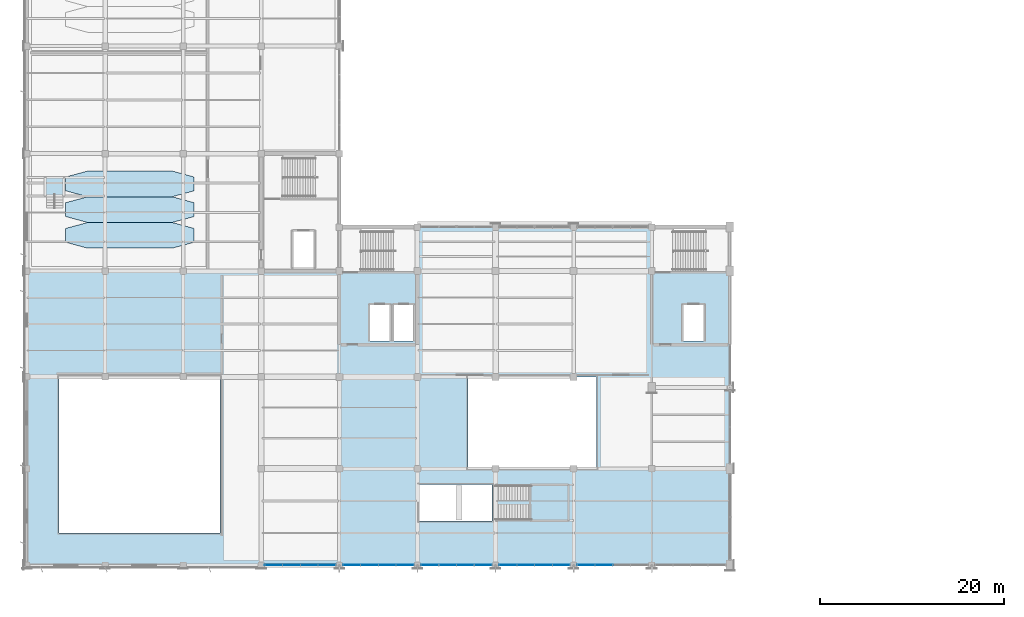
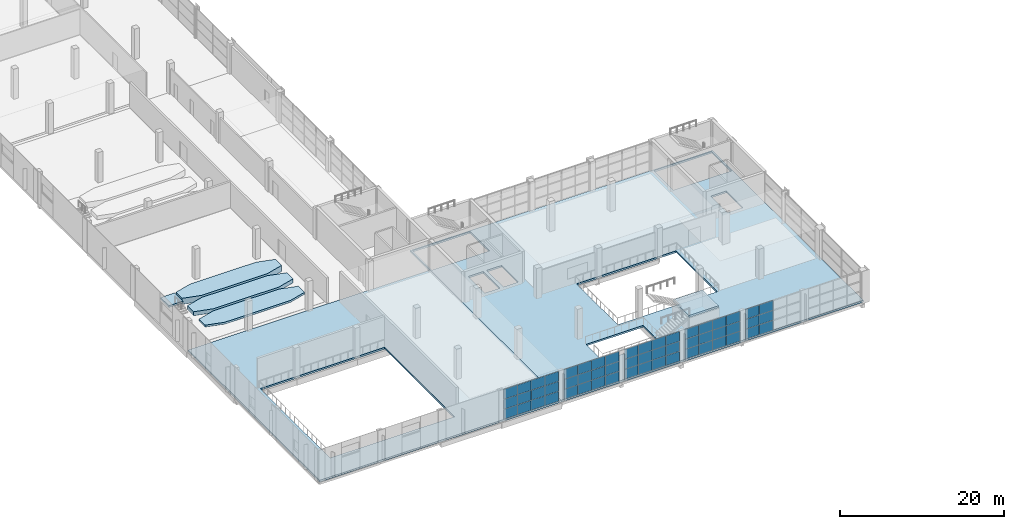
# One storey, part 84 of 112: 54 plates, 7 slabs, 7 elements without a shape of their own.
"""IFC4 building model written with IfcOpenShell, lengths in metres."""

from ifc_helpers import new_model, si_unit, direction, frame, origin, origin_2d, place, context, subcontext, project, spatial, polyline, rectangle, outline, extrude, material, layer, layer_set, type_object, element, aggregate, save


model = new_model("IFC4")

# Units and contexts
model_context = context("Model", 3, precision=1e-05, world=origin(), true_north=direction((0.0, 1.0)))
body_context = subcontext(model_context, "Body", "Model", "MODEL_VIEW")
ifc_project = project(units=[si_unit("LENGTHUNIT", "METRE"), si_unit("AREAUNIT", "SQUARE_METRE"), si_unit("VOLUMEUNIT", "CUBIC_METRE"), si_unit("PLANEANGLEUNIT", "RADIAN"), si_unit("MASSUNIT", "GRAM", prefix="KILO")], contexts=[model_context])

# Site, building, storey
site_placement = place(None, origin())
site = spatial("IfcSite", under=ifc_project, at=site_placement, CompositionType="ELEMENT")
building_placement = place(site_placement, origin())
building = spatial("IfcBuilding", under=site, at=building_placement, Name="Solvikara Media Centre", CompositionType="ELEMENT")
storey_placement = place(building_placement, frame((0.0, 0.0, 5.39990234375)))
storey = spatial("IfcBuildingStorey", under=building, at=storey_placement, Name="L01", CompositionType="ELEMENT", Elevation=5.39990234375)

# Curtain wall, plates
ifc_material_1 = material(Name="Anodised aluminium EN AW-6063", Category="aluminium")
curtain_wall_type_1 = type_object("IfcCurtainWallType", Name="CW-04", PredefinedType="NOTDEFINED", material=ifc_material_1)
curtain_wall_1_placement = place(storey_placement, origin())
curtain_wall_1 = element("IfcCurtainWall", 1, at=curtain_wall_1_placement, inside=storey, type_object=curtain_wall_type_1, Name="CW-L01-V6S-1", PredefinedType="NOTDEFINED")
ifc_material_2 = material(Name="Double-glazed low-E architectural glass", Category="glass")
ifc_layer_1 = layer(ifc_material_2, 0.035888671875)
ifc_layer_set_1 = layer_set([ifc_layer_1], Name="Double-glazed low-E architectural glass")
plate_type_1 = type_object("IfcPlateType", Name="PN-06", PredefinedType="CURTAIN_PANEL", material=ifc_layer_set_1)
plate_1_placement = place(storey_placement, frame((35.35498046875, 0.0, 0.03466796875), z_axis=(0.0, 0.0, 1.0), x_axis=(1.0, 0.0, 0.0)))
plate_1 = element("IfcPlate", 2, at=plate_1_placement, type_object=plate_type_1, Name="CW-L01-V6S-1-P0000", PredefinedType="CURTAIN_PANEL", context=body_context, shape_type="SweptSolid", body=[
    extrude(rectangle(XDim=1.89990234375, YDim=0.035888671875, at=origin_2d()), origin(), (0.0, 0.0, 1.0), 1.45703125),
])
plate_2_placement = place(storey_placement, frame((35.35498046875, 0.0, 3.008544921875), z_axis=(0.0, 0.0, 1.0), x_axis=(1.0, 0.0, 0.0)))
plate_2 = element("IfcPlate", 3, at=plate_2_placement, type_object=plate_type_1, Name="CW-L01-V6S-1-P0002", PredefinedType="CURTAIN_PANEL", context=body_context, shape_type="SweptSolid", body=[
    extrude(rectangle(XDim=1.89990234375, YDim=0.035888671875, at=origin_2d()), origin(), (0.0, 0.0, 1.0), 1.45703125),
])
plate_3_placement = place(storey_placement, frame((37.284912109375, 0.0, 1.521484375), z_axis=(0.0, 0.0, 1.0), x_axis=(1.0, 0.0, 0.0)))
plate_3 = element("IfcPlate", 4, at=plate_3_placement, type_object=plate_type_1, Name="CW-L01-V6S-1-P0101", PredefinedType="CURTAIN_PANEL", context=body_context, shape_type="SweptSolid", body=[
    extrude(rectangle(XDim=1.89990234375, YDim=0.035888671875, at=origin_2d()), origin(), (0.0, 0.0, 1.0), 1.45703125),
])
plate_4_placement = place(storey_placement, frame((39.215087890625, 0.0, 0.03466796875), z_axis=(0.0, 0.0, 1.0), x_axis=(1.0, 0.0, 0.0)))
plate_4 = element("IfcPlate", 5, at=plate_4_placement, type_object=plate_type_1, Name="CW-L01-V6S-1-P0200", PredefinedType="CURTAIN_PANEL", context=body_context, shape_type="SweptSolid", body=[
    extrude(rectangle(XDim=1.89990234375, YDim=0.035888671875, at=origin_2d()), origin(), (0.0, 0.0, 1.0), 1.45703125),
])
plate_5_placement = place(storey_placement, frame((39.215087890625, 0.0, 3.008544921875), z_axis=(0.0, 0.0, 1.0), x_axis=(1.0, 0.0, 0.0)))
plate_5 = element("IfcPlate", 6, at=plate_5_placement, type_object=plate_type_1, Name="CW-L01-V6S-1-P0202", PredefinedType="CURTAIN_PANEL", context=body_context, shape_type="SweptSolid", body=[
    extrude(rectangle(XDim=1.89990234375, YDim=0.035888671875, at=origin_2d()), origin(), (0.0, 0.0, 1.0), 1.45703125),
])
plate_6_placement = place(storey_placement, frame((41.14501953125, 0.0, 1.521484375), z_axis=(0.0, 0.0, 1.0), x_axis=(1.0, 0.0, 0.0)))
plate_6 = element("IfcPlate", 7, at=plate_6_placement, type_object=plate_type_1, Name="CW-L01-V6S-1-P0301", PredefinedType="CURTAIN_PANEL", context=body_context, shape_type="SweptSolid", body=[
    extrude(rectangle(XDim=1.89990234375, YDim=0.035888671875, at=origin_2d()), origin(), (0.0, 0.0, 1.0), 1.45703125),
])

curtain_wall_2_placement = place(storey_placement, origin())
curtain_wall_2 = element("IfcCurtainWall", 8, at=curtain_wall_2_placement, inside=storey, type_object=curtain_wall_type_1, Name="CW-L01-V6S-2", PredefinedType="NOTDEFINED")
plate_7_placement = place(storey_placement, frame((43.85498046875, 0.0, 0.03466796875), z_axis=(0.0, 0.0, 1.0), x_axis=(1.0, 0.0, 0.0)))
plate_7 = element("IfcPlate", 9, at=plate_7_placement, type_object=plate_type_1, Name="CW-L01-V6S-2-P0000", PredefinedType="CURTAIN_PANEL", context=body_context, shape_type="SweptSolid", body=[
    extrude(rectangle(XDim=1.89990234375, YDim=0.035888671875, at=origin_2d()), origin(), (0.0, 0.0, 1.0), 1.45703125),
])
plate_8_placement = place(storey_placement, frame((43.85498046875, 0.0, 3.008544921875), z_axis=(0.0, 0.0, 1.0), x_axis=(1.0, 0.0, 0.0)))
plate_8 = element("IfcPlate", 10, at=plate_8_placement, type_object=plate_type_1, Name="CW-L01-V6S-2-P0002", PredefinedType="CURTAIN_PANEL", context=body_context, shape_type="SweptSolid", body=[
    extrude(rectangle(XDim=1.89990234375, YDim=0.035888671875, at=origin_2d()), origin(), (0.0, 0.0, 1.0), 1.45703125),
])
plate_9_placement = place(storey_placement, frame((45.784912109375, 0.0, 1.521484375), z_axis=(0.0, 0.0, 1.0), x_axis=(1.0, 0.0, 0.0)))
plate_9 = element("IfcPlate", 11, at=plate_9_placement, type_object=plate_type_1, Name="CW-L01-V6S-2-P0101", PredefinedType="CURTAIN_PANEL", context=body_context, shape_type="SweptSolid", body=[
    extrude(rectangle(XDim=1.89990234375, YDim=0.035888671875, at=origin_2d()), origin(), (0.0, 0.0, 1.0), 1.45703125),
])
plate_10_placement = place(storey_placement, frame((47.715087890625, 0.0, 0.03466796875), z_axis=(0.0, 0.0, 1.0), x_axis=(1.0, 0.0, 0.0)))
plate_10 = element("IfcPlate", 12, at=plate_10_placement, type_object=plate_type_1, Name="CW-L01-V6S-2-P0200", PredefinedType="CURTAIN_PANEL", context=body_context, shape_type="SweptSolid", body=[
    extrude(rectangle(XDim=1.89990234375, YDim=0.035888671875, at=origin_2d()), origin(), (0.0, 0.0, 1.0), 1.45703125),
])
plate_11_placement = place(storey_placement, frame((47.715087890625, 0.0, 3.008544921875), z_axis=(0.0, 0.0, 1.0), x_axis=(1.0, 0.0, 0.0)))
plate_11 = element("IfcPlate", 13, at=plate_11_placement, type_object=plate_type_1, Name="CW-L01-V6S-2-P0202", PredefinedType="CURTAIN_PANEL", context=body_context, shape_type="SweptSolid", body=[
    extrude(rectangle(XDim=1.89990234375, YDim=0.035888671875, at=origin_2d()), origin(), (0.0, 0.0, 1.0), 1.45703125),
])
plate_12_placement = place(storey_placement, frame((49.64501953125, 0.0, 1.521484375), z_axis=(0.0, 0.0, 1.0), x_axis=(1.0, 0.0, 0.0)))
plate_12 = element("IfcPlate", 14, at=plate_12_placement, type_object=plate_type_1, Name="CW-L01-V6S-2-P0301", PredefinedType="CURTAIN_PANEL", context=body_context, shape_type="SweptSolid", body=[
    extrude(rectangle(XDim=1.89990234375, YDim=0.035888671875, at=origin_2d()), origin(), (0.0, 0.0, 1.0), 1.45703125),
])

curtain_wall_3_placement = place(storey_placement, origin())
curtain_wall_3 = element("IfcCurtainWall", 15, at=curtain_wall_3_placement, inside=storey, type_object=curtain_wall_type_1, Name="CW-L01-V6S-3", PredefinedType="NOTDEFINED")
plate_13_placement = place(storey_placement, frame((52.35498046875, 0.0, 0.03466796875), z_axis=(0.0, 0.0, 1.0), x_axis=(1.0, 0.0, 0.0)))
plate_13 = element("IfcPlate", 16, at=plate_13_placement, type_object=plate_type_1, Name="CW-L01-V6S-3-P0000", PredefinedType="CURTAIN_PANEL", context=body_context, shape_type="SweptSolid", body=[
    extrude(rectangle(XDim=1.89990234375, YDim=0.035888671875, at=origin_2d()), origin(), (0.0, 0.0, 1.0), 1.45703125),
])
plate_14_placement = place(storey_placement, frame((52.35498046875, 0.0, 3.008544921875), z_axis=(0.0, 0.0, 1.0), x_axis=(1.0, 0.0, 0.0)))
plate_14 = element("IfcPlate", 17, at=plate_14_placement, type_object=plate_type_1, Name="CW-L01-V6S-3-P0002", PredefinedType="CURTAIN_PANEL", context=body_context, shape_type="SweptSolid", body=[
    extrude(rectangle(XDim=1.89990234375, YDim=0.035888671875, at=origin_2d()), origin(), (0.0, 0.0, 1.0), 1.45703125),
])
plate_15_placement = place(storey_placement, frame((54.284912109375, 0.0, 1.521484375), z_axis=(0.0, 0.0, 1.0), x_axis=(1.0, 0.0, 0.0)))
plate_15 = element("IfcPlate", 18, at=plate_15_placement, type_object=plate_type_1, Name="CW-L01-V6S-3-P0101", PredefinedType="CURTAIN_PANEL", context=body_context, shape_type="SweptSolid", body=[
    extrude(rectangle(XDim=1.89990234375, YDim=0.035888671875, at=origin_2d()), origin(), (0.0, 0.0, 1.0), 1.45703125),
])
plate_16_placement = place(storey_placement, frame((56.215087890625, 0.0, 0.03466796875), z_axis=(0.0, 0.0, 1.0), x_axis=(1.0, 0.0, 0.0)))
plate_16 = element("IfcPlate", 19, at=plate_16_placement, type_object=plate_type_1, Name="CW-L01-V6S-3-P0200", PredefinedType="CURTAIN_PANEL", context=body_context, shape_type="SweptSolid", body=[
    extrude(rectangle(XDim=1.89990234375, YDim=0.035888671875, at=origin_2d()), origin(), (0.0, 0.0, 1.0), 1.45703125),
])
plate_17_placement = place(storey_placement, frame((56.215087890625, 0.0, 3.008544921875), z_axis=(0.0, 0.0, 1.0), x_axis=(1.0, 0.0, 0.0)))
plate_17 = element("IfcPlate", 20, at=plate_17_placement, type_object=plate_type_1, Name="CW-L01-V6S-3-P0202", PredefinedType="CURTAIN_PANEL", context=body_context, shape_type="SweptSolid", body=[
    extrude(rectangle(XDim=1.89990234375, YDim=0.035888671875, at=origin_2d()), origin(), (0.0, 0.0, 1.0), 1.45703125),
])
plate_18_placement = place(storey_placement, frame((58.14501953125, 0.0, 1.521484375), z_axis=(0.0, 0.0, 1.0), x_axis=(1.0, 0.0, 0.0)))
plate_18 = element("IfcPlate", 21, at=plate_18_placement, type_object=plate_type_1, Name="CW-L01-V6S-3-P0301", PredefinedType="CURTAIN_PANEL", context=body_context, shape_type="SweptSolid", body=[
    extrude(rectangle(XDim=1.89990234375, YDim=0.035888671875, at=origin_2d()), origin(), (0.0, 0.0, 1.0), 1.45703125),
])

curtain_wall_4_placement = place(storey_placement, origin())
curtain_wall_4 = element("IfcCurtainWall", 22, at=curtain_wall_4_placement, inside=storey, type_object=curtain_wall_type_1, Name="CW-L01-V6S-4", PredefinedType="NOTDEFINED")
plate_19_placement = place(storey_placement, frame((60.85498046875, 0.0, 0.03466796875), z_axis=(0.0, 0.0, 1.0), x_axis=(1.0, 0.0, 0.0)))
plate_19 = element("IfcPlate", 23, at=plate_19_placement, type_object=plate_type_1, Name="CW-L01-V6S-4-P0000", PredefinedType="CURTAIN_PANEL", context=body_context, shape_type="SweptSolid", body=[
    extrude(rectangle(XDim=1.89990234375, YDim=0.035888671875, at=origin_2d()), origin(), (0.0, 0.0, 1.0), 1.45703125),
])
plate_20_placement = place(storey_placement, frame((60.85498046875, 0.0, 3.008544921875), z_axis=(0.0, 0.0, 1.0), x_axis=(1.0, 0.0, 0.0)))
plate_20 = element("IfcPlate", 24, at=plate_20_placement, type_object=plate_type_1, Name="CW-L01-V6S-4-P0002", PredefinedType="CURTAIN_PANEL", context=body_context, shape_type="SweptSolid", body=[
    extrude(rectangle(XDim=1.89990234375, YDim=0.035888671875, at=origin_2d()), origin(), (0.0, 0.0, 1.0), 1.45703125),
])
plate_21_placement = place(storey_placement, frame((62.784912109375, 0.0, 1.521484375), z_axis=(0.0, 0.0, 1.0), x_axis=(1.0, 0.0, 0.0)))
plate_21 = element("IfcPlate", 25, at=plate_21_placement, type_object=plate_type_1, Name="CW-L01-V6S-4-P0101", PredefinedType="CURTAIN_PANEL", context=body_context, shape_type="SweptSolid", body=[
    extrude(rectangle(XDim=1.89990234375, YDim=0.035888671875, at=origin_2d()), origin(), (0.0, 0.0, 1.0), 1.45703125),
])

# Plate
ifc_material_3 = material(Name="Insulated silver-pearl glass spandrel panel", Category="glass")
ifc_layer_2 = layer(ifc_material_3, 0.054931640625)
ifc_layer_set_2 = layer_set([ifc_layer_2], Name="Insulated silver-pearl glass spandrel panel")
plate_type_2 = type_object("IfcPlateType", Name="PN-07", PredefinedType="CURTAIN_PANEL", material=ifc_layer_set_2)
plate_22_placement = place(storey_placement, frame((35.35498046875, 0.0, 1.521484375), z_axis=(0.0, 0.0, 1.0), x_axis=(1.0, 0.0, 0.0)))
plate_22 = element("IfcPlate", 26, at=plate_22_placement, type_object=plate_type_2, Name="CW-L01-V6S-1-P0001", PredefinedType="CURTAIN_PANEL", context=body_context, shape_type="SweptSolid", body=[
    extrude(rectangle(XDim=1.89990234375, YDim=0.054931640625, at=origin_2d()), origin(), (0.0, 0.0, 1.0), 1.45703125),
])

plate_23_placement = place(storey_placement, frame((37.284912109375, 0.0, 0.03466796875), z_axis=(0.0, 0.0, 1.0), x_axis=(1.0, 0.0, 0.0)))
plate_23 = element("IfcPlate", 27, at=plate_23_placement, type_object=plate_type_2, Name="CW-L01-V6S-1-P0100", PredefinedType="CURTAIN_PANEL", context=body_context, shape_type="SweptSolid", body=[
    extrude(rectangle(XDim=1.89990234375, YDim=0.054931640625, at=origin_2d()), origin(), (0.0, 0.0, 1.0), 1.45703125),
])

plate_24_placement = place(storey_placement, frame((37.284912109375, 0.0, 3.008544921875), z_axis=(0.0, 0.0, 1.0), x_axis=(1.0, 0.0, 0.0)))
plate_24 = element("IfcPlate", 28, at=plate_24_placement, type_object=plate_type_2, Name="CW-L01-V6S-1-P0102", PredefinedType="CURTAIN_PANEL", context=body_context, shape_type="SweptSolid", body=[
    extrude(rectangle(XDim=1.89990234375, YDim=0.054931640625, at=origin_2d()), origin(), (0.0, 0.0, 1.0), 1.45703125),
])

plate_25_placement = place(storey_placement, frame((39.215087890625, 0.0, 1.521484375), z_axis=(0.0, 0.0, 1.0), x_axis=(1.0, 0.0, 0.0)))
plate_25 = element("IfcPlate", 29, at=plate_25_placement, type_object=plate_type_2, Name="CW-L01-V6S-1-P0201", PredefinedType="CURTAIN_PANEL", context=body_context, shape_type="SweptSolid", body=[
    extrude(rectangle(XDim=1.89990234375, YDim=0.054931640625, at=origin_2d()), origin(), (0.0, 0.0, 1.0), 1.45703125),
])

plate_26_placement = place(storey_placement, frame((41.14501953125, 0.0, 0.03466796875), z_axis=(0.0, 0.0, 1.0), x_axis=(1.0, 0.0, 0.0)))
plate_26 = element("IfcPlate", 30, at=plate_26_placement, type_object=plate_type_2, Name="CW-L01-V6S-1-P0300", PredefinedType="CURTAIN_PANEL", context=body_context, shape_type="SweptSolid", body=[
    extrude(rectangle(XDim=1.89990234375, YDim=0.054931640625, at=origin_2d()), origin(), (0.0, 0.0, 1.0), 1.45703125),
])

plate_27_placement = place(storey_placement, frame((41.14501953125, 0.0, 3.008544921875), z_axis=(0.0, 0.0, 1.0), x_axis=(1.0, 0.0, 0.0)))
plate_27 = element("IfcPlate", 31, at=plate_27_placement, type_object=plate_type_2, Name="CW-L01-V6S-1-P0302", PredefinedType="CURTAIN_PANEL", context=body_context, shape_type="SweptSolid", body=[
    extrude(rectangle(XDim=1.89990234375, YDim=0.054931640625, at=origin_2d()), origin(), (0.0, 0.0, 1.0), 1.45703125),
])

aggregate(curtain_wall_1, [plate_1, plate_22, plate_2, plate_23, plate_3, plate_24, plate_4, plate_25, plate_5, plate_26, plate_6, plate_27])

plate_28_placement = place(storey_placement, frame((43.85498046875, 0.0, 1.521484375), z_axis=(0.0, 0.0, 1.0), x_axis=(1.0, 0.0, 0.0)))
plate_28 = element("IfcPlate", 32, at=plate_28_placement, type_object=plate_type_2, Name="CW-L01-V6S-2-P0001", PredefinedType="CURTAIN_PANEL", context=body_context, shape_type="SweptSolid", body=[
    extrude(rectangle(XDim=1.89990234375, YDim=0.054931640625, at=origin_2d()), origin(), (0.0, 0.0, 1.0), 1.45703125),
])

plate_29_placement = place(storey_placement, frame((45.784912109375, 0.0, 0.03466796875), z_axis=(0.0, 0.0, 1.0), x_axis=(1.0, 0.0, 0.0)))
plate_29 = element("IfcPlate", 33, at=plate_29_placement, type_object=plate_type_2, Name="CW-L01-V6S-2-P0100", PredefinedType="CURTAIN_PANEL", context=body_context, shape_type="SweptSolid", body=[
    extrude(rectangle(XDim=1.89990234375, YDim=0.054931640625, at=origin_2d()), origin(), (0.0, 0.0, 1.0), 1.45703125),
])

plate_30_placement = place(storey_placement, frame((45.784912109375, 0.0, 3.008544921875), z_axis=(0.0, 0.0, 1.0), x_axis=(1.0, 0.0, 0.0)))
plate_30 = element("IfcPlate", 34, at=plate_30_placement, type_object=plate_type_2, Name="CW-L01-V6S-2-P0102", PredefinedType="CURTAIN_PANEL", context=body_context, shape_type="SweptSolid", body=[
    extrude(rectangle(XDim=1.89990234375, YDim=0.054931640625, at=origin_2d()), origin(), (0.0, 0.0, 1.0), 1.45703125),
])

plate_31_placement = place(storey_placement, frame((47.715087890625, 0.0, 1.521484375), z_axis=(0.0, 0.0, 1.0), x_axis=(1.0, 0.0, 0.0)))
plate_31 = element("IfcPlate", 35, at=plate_31_placement, type_object=plate_type_2, Name="CW-L01-V6S-2-P0201", PredefinedType="CURTAIN_PANEL", context=body_context, shape_type="SweptSolid", body=[
    extrude(rectangle(XDim=1.89990234375, YDim=0.054931640625, at=origin_2d()), origin(), (0.0, 0.0, 1.0), 1.45703125),
])

plate_32_placement = place(storey_placement, frame((49.64501953125, 0.0, 0.03466796875), z_axis=(0.0, 0.0, 1.0), x_axis=(1.0, 0.0, 0.0)))
plate_32 = element("IfcPlate", 36, at=plate_32_placement, type_object=plate_type_2, Name="CW-L01-V6S-2-P0300", PredefinedType="CURTAIN_PANEL", context=body_context, shape_type="SweptSolid", body=[
    extrude(rectangle(XDim=1.89990234375, YDim=0.054931640625, at=origin_2d()), origin(), (0.0, 0.0, 1.0), 1.45703125),
])

plate_33_placement = place(storey_placement, frame((49.64501953125, 0.0, 3.008544921875), z_axis=(0.0, 0.0, 1.0), x_axis=(1.0, 0.0, 0.0)))
plate_33 = element("IfcPlate", 37, at=plate_33_placement, type_object=plate_type_2, Name="CW-L01-V6S-2-P0302", PredefinedType="CURTAIN_PANEL", context=body_context, shape_type="SweptSolid", body=[
    extrude(rectangle(XDim=1.89990234375, YDim=0.054931640625, at=origin_2d()), origin(), (0.0, 0.0, 1.0), 1.45703125),
])

aggregate(curtain_wall_2, [plate_7, plate_28, plate_8, plate_29, plate_9, plate_30, plate_10, plate_31, plate_11, plate_32, plate_12, plate_33])

plate_34_placement = place(storey_placement, frame((52.35498046875, 0.0, 1.521484375), z_axis=(0.0, 0.0, 1.0), x_axis=(1.0, 0.0, 0.0)))
plate_34 = element("IfcPlate", 38, at=plate_34_placement, type_object=plate_type_2, Name="CW-L01-V6S-3-P0001", PredefinedType="CURTAIN_PANEL", context=body_context, shape_type="SweptSolid", body=[
    extrude(rectangle(XDim=1.89990234375, YDim=0.054931640625, at=origin_2d()), origin(), (0.0, 0.0, 1.0), 1.45703125),
])

plate_35_placement = place(storey_placement, frame((54.284912109375, 0.0, 0.03466796875), z_axis=(0.0, 0.0, 1.0), x_axis=(1.0, 0.0, 0.0)))
plate_35 = element("IfcPlate", 39, at=plate_35_placement, type_object=plate_type_2, Name="CW-L01-V6S-3-P0100", PredefinedType="CURTAIN_PANEL", context=body_context, shape_type="SweptSolid", body=[
    extrude(rectangle(XDim=1.89990234375, YDim=0.054931640625, at=origin_2d()), origin(), (0.0, 0.0, 1.0), 1.45703125),
])

plate_36_placement = place(storey_placement, frame((54.284912109375, 0.0, 3.008544921875), z_axis=(0.0, 0.0, 1.0), x_axis=(1.0, 0.0, 0.0)))
plate_36 = element("IfcPlate", 40, at=plate_36_placement, type_object=plate_type_2, Name="CW-L01-V6S-3-P0102", PredefinedType="CURTAIN_PANEL", context=body_context, shape_type="SweptSolid", body=[
    extrude(rectangle(XDim=1.89990234375, YDim=0.054931640625, at=origin_2d()), origin(), (0.0, 0.0, 1.0), 1.45703125),
])

plate_37_placement = place(storey_placement, frame((56.215087890625, 0.0, 1.521484375), z_axis=(0.0, 0.0, 1.0), x_axis=(1.0, 0.0, 0.0)))
plate_37 = element("IfcPlate", 41, at=plate_37_placement, type_object=plate_type_2, Name="CW-L01-V6S-3-P0201", PredefinedType="CURTAIN_PANEL", context=body_context, shape_type="SweptSolid", body=[
    extrude(rectangle(XDim=1.89990234375, YDim=0.054931640625, at=origin_2d()), origin(), (0.0, 0.0, 1.0), 1.45703125),
])

plate_38_placement = place(storey_placement, frame((58.14501953125, 0.0, 0.03466796875), z_axis=(0.0, 0.0, 1.0), x_axis=(1.0, 0.0, 0.0)))
plate_38 = element("IfcPlate", 42, at=plate_38_placement, type_object=plate_type_2, Name="CW-L01-V6S-3-P0300", PredefinedType="CURTAIN_PANEL", context=body_context, shape_type="SweptSolid", body=[
    extrude(rectangle(XDim=1.89990234375, YDim=0.054931640625, at=origin_2d()), origin(), (0.0, 0.0, 1.0), 1.45703125),
])

plate_39_placement = place(storey_placement, frame((58.14501953125, 0.0, 3.008544921875), z_axis=(0.0, 0.0, 1.0), x_axis=(1.0, 0.0, 0.0)))
plate_39 = element("IfcPlate", 43, at=plate_39_placement, type_object=plate_type_2, Name="CW-L01-V6S-3-P0302", PredefinedType="CURTAIN_PANEL", context=body_context, shape_type="SweptSolid", body=[
    extrude(rectangle(XDim=1.89990234375, YDim=0.054931640625, at=origin_2d()), origin(), (0.0, 0.0, 1.0), 1.45703125),
])

aggregate(curtain_wall_3, [plate_13, plate_34, plate_14, plate_35, plate_15, plate_36, plate_16, plate_37, plate_17, plate_38, plate_18, plate_39])

plate_40_placement = place(storey_placement, frame((60.85498046875, 0.0, 1.521484375), z_axis=(0.0, 0.0, 1.0), x_axis=(1.0, 0.0, 0.0)))
plate_40 = element("IfcPlate", 44, at=plate_40_placement, type_object=plate_type_2, Name="CW-L01-V6S-4-P0001", PredefinedType="CURTAIN_PANEL", context=body_context, shape_type="SweptSolid", body=[
    extrude(rectangle(XDim=1.89990234375, YDim=0.054931640625, at=origin_2d()), origin(), (0.0, 0.0, 1.0), 1.45703125),
])

plate_41_placement = place(storey_placement, frame((62.784912109375, 0.0, 0.03466796875), z_axis=(0.0, 0.0, 1.0), x_axis=(1.0, 0.0, 0.0)))
plate_41 = element("IfcPlate", 45, at=plate_41_placement, type_object=plate_type_2, Name="CW-L01-V6S-4-P0100", PredefinedType="CURTAIN_PANEL", context=body_context, shape_type="SweptSolid", body=[
    extrude(rectangle(XDim=1.89990234375, YDim=0.054931640625, at=origin_2d()), origin(), (0.0, 0.0, 1.0), 1.45703125),
])

plate_42_placement = place(storey_placement, frame((62.784912109375, 0.0, 3.008544921875), z_axis=(0.0, 0.0, 1.0), x_axis=(1.0, 0.0, 0.0)))
plate_42 = element("IfcPlate", 46, at=plate_42_placement, type_object=plate_type_2, Name="CW-L01-V6S-4-P0102", PredefinedType="CURTAIN_PANEL", context=body_context, shape_type="SweptSolid", body=[
    extrude(rectangle(XDim=1.89990234375, YDim=0.054931640625, at=origin_2d()), origin(), (0.0, 0.0, 1.0), 1.45703125),
])

aggregate(curtain_wall_4, [plate_19, plate_40, plate_20, plate_41, plate_21, plate_42])

# Curtain wall, plates
curtain_wall_type_2 = type_object("IfcCurtainWallType", Name="CW-07", PredefinedType="NOTDEFINED", material=ifc_material_1)
curtain_wall_5_placement = place(storey_placement, origin())
curtain_wall_5 = element("IfcCurtainWall", 47, at=curtain_wall_5_placement, inside=storey, type_object=curtain_wall_type_2, Name="CW-L01-V1SE", PredefinedType="NOTDEFINED")
ifc_layer_3 = layer(ifc_material_2, 0.035888671875)
ifc_layer_set_3 = layer_set([ifc_layer_3], Name="Double-glazed low-E architectural glass")
plate_type_3 = type_object("IfcPlateType", Name="PN-10", PredefinedType="CURTAIN_PANEL", material=ifc_layer_set_3)
plate_43_placement = place(storey_placement, frame((26.85498046875, 0.0, 0.03466796875), z_axis=(0.0, 0.0, 1.0), x_axis=(1.0, 0.0, 0.0)))
plate_43 = element("IfcPlate", 48, at=plate_43_placement, type_object=plate_type_3, Name="CW-L01-V1SE-P0000", PredefinedType="CURTAIN_PANEL", context=body_context, shape_type="SweptSolid", body=[
    extrude(rectangle(XDim=1.89990234375, YDim=0.035888671875, at=origin_2d()), origin(), (0.0, 0.0, 1.0), 1.45703125),
])
plate_44_placement = place(storey_placement, frame((26.85498046875, 0.0, 3.008544921875), z_axis=(0.0, 0.0, 1.0), x_axis=(1.0, 0.0, 0.0)))
plate_44 = element("IfcPlate", 49, at=plate_44_placement, type_object=plate_type_3, Name="CW-L01-V1SE-P0002", PredefinedType="CURTAIN_PANEL", context=body_context, shape_type="SweptSolid", body=[
    extrude(rectangle(XDim=1.89990234375, YDim=0.035888671875, at=origin_2d()), origin(), (0.0, 0.0, 1.0), 1.45703125),
])
plate_45_placement = place(storey_placement, frame((28.784912109375, 0.0, 1.521484375), z_axis=(0.0, 0.0, 1.0), x_axis=(1.0, 0.0, 0.0)))
plate_45 = element("IfcPlate", 50, at=plate_45_placement, type_object=plate_type_3, Name="CW-L01-V1SE-P0101", PredefinedType="CURTAIN_PANEL", context=body_context, shape_type="SweptSolid", body=[
    extrude(rectangle(XDim=1.89990234375, YDim=0.035888671875, at=origin_2d()), origin(), (0.0, 0.0, 1.0), 1.45703125),
])
plate_46_placement = place(storey_placement, frame((30.715087890625, 0.0, 0.03466796875), z_axis=(0.0, 0.0, 1.0), x_axis=(1.0, 0.0, 0.0)))
plate_46 = element("IfcPlate", 51, at=plate_46_placement, type_object=plate_type_3, Name="CW-L01-V1SE-P0200", PredefinedType="CURTAIN_PANEL", context=body_context, shape_type="SweptSolid", body=[
    extrude(rectangle(XDim=1.89990234375, YDim=0.035888671875, at=origin_2d()), origin(), (0.0, 0.0, 1.0), 1.45703125),
])
plate_47_placement = place(storey_placement, frame((30.715087890625, 0.0, 3.008544921875), z_axis=(0.0, 0.0, 1.0), x_axis=(1.0, 0.0, 0.0)))
plate_47 = element("IfcPlate", 52, at=plate_47_placement, type_object=plate_type_3, Name="CW-L01-V1SE-P0202", PredefinedType="CURTAIN_PANEL", context=body_context, shape_type="SweptSolid", body=[
    extrude(rectangle(XDim=1.89990234375, YDim=0.035888671875, at=origin_2d()), origin(), (0.0, 0.0, 1.0), 1.45703125),
])
plate_48_placement = place(storey_placement, frame((32.64501953125, 0.0, 1.521484375), z_axis=(0.0, 0.0, 1.0), x_axis=(1.0, 0.0, 0.0)))
plate_48 = element("IfcPlate", 53, at=plate_48_placement, type_object=plate_type_3, Name="CW-L01-V1SE-P0301", PredefinedType="CURTAIN_PANEL", context=body_context, shape_type="SweptSolid", body=[
    extrude(rectangle(XDim=1.89990234375, YDim=0.035888671875, at=origin_2d()), origin(), (0.0, 0.0, 1.0), 1.45703125),
])
ifc_layer_4 = layer(ifc_material_3, 0.054931640625)
ifc_layer_set_4 = layer_set([ifc_layer_4], Name="Insulated silver-pearl glass spandrel panel")
plate_type_4 = type_object("IfcPlateType", Name="PN-11", PredefinedType="CURTAIN_PANEL", material=ifc_layer_set_4)
plate_49_placement = place(storey_placement, frame((26.85498046875, 0.0, 1.521484375), z_axis=(0.0, 0.0, 1.0), x_axis=(1.0, 0.0, 0.0)))
plate_49 = element("IfcPlate", 54, at=plate_49_placement, type_object=plate_type_4, Name="CW-L01-V1SE-P0001", PredefinedType="CURTAIN_PANEL", context=body_context, shape_type="SweptSolid", body=[
    extrude(rectangle(XDim=1.89990234375, YDim=0.054931640625, at=origin_2d()), origin(), (0.0, 0.0, 1.0), 1.45703125),
])
plate_50_placement = place(storey_placement, frame((28.784912109375, 0.0, 0.03466796875), z_axis=(0.0, 0.0, 1.0), x_axis=(1.0, 0.0, 0.0)))
plate_50 = element("IfcPlate", 55, at=plate_50_placement, type_object=plate_type_4, Name="CW-L01-V1SE-P0100", PredefinedType="CURTAIN_PANEL", context=body_context, shape_type="SweptSolid", body=[
    extrude(rectangle(XDim=1.89990234375, YDim=0.054931640625, at=origin_2d()), origin(), (0.0, 0.0, 1.0), 1.45703125),
])
plate_51_placement = place(storey_placement, frame((28.784912109375, 0.0, 3.008544921875), z_axis=(0.0, 0.0, 1.0), x_axis=(1.0, 0.0, 0.0)))
plate_51 = element("IfcPlate", 56, at=plate_51_placement, type_object=plate_type_4, Name="CW-L01-V1SE-P0102", PredefinedType="CURTAIN_PANEL", context=body_context, shape_type="SweptSolid", body=[
    extrude(rectangle(XDim=1.89990234375, YDim=0.054931640625, at=origin_2d()), origin(), (0.0, 0.0, 1.0), 1.45703125),
])
plate_52_placement = place(storey_placement, frame((30.715087890625, 0.0, 1.521484375), z_axis=(0.0, 0.0, 1.0), x_axis=(1.0, 0.0, 0.0)))
plate_52 = element("IfcPlate", 57, at=plate_52_placement, type_object=plate_type_4, Name="CW-L01-V1SE-P0201", PredefinedType="CURTAIN_PANEL", context=body_context, shape_type="SweptSolid", body=[
    extrude(rectangle(XDim=1.89990234375, YDim=0.054931640625, at=origin_2d()), origin(), (0.0, 0.0, 1.0), 1.45703125),
])
plate_53_placement = place(storey_placement, frame((32.64501953125, 0.0, 0.03466796875), z_axis=(0.0, 0.0, 1.0), x_axis=(1.0, 0.0, 0.0)))
plate_53 = element("IfcPlate", 58, at=plate_53_placement, type_object=plate_type_4, Name="CW-L01-V1SE-P0300", PredefinedType="CURTAIN_PANEL", context=body_context, shape_type="SweptSolid", body=[
    extrude(rectangle(XDim=1.89990234375, YDim=0.054931640625, at=origin_2d()), origin(), (0.0, 0.0, 1.0), 1.45703125),
])
plate_54_placement = place(storey_placement, frame((32.64501953125, 0.0, 3.008544921875), z_axis=(0.0, 0.0, 1.0), x_axis=(1.0, 0.0, 0.0)))
plate_54 = element("IfcPlate", 59, at=plate_54_placement, type_object=plate_type_4, Name="CW-L01-V1SE-P0302", PredefinedType="CURTAIN_PANEL", context=body_context, shape_type="SweptSolid", body=[
    extrude(rectangle(XDim=1.89990234375, YDim=0.054931640625, at=origin_2d()), origin(), (0.0, 0.0, 1.0), 1.45703125),
])
aggregate(curtain_wall_5, [plate_43, plate_49, plate_44, plate_50, plate_45, plate_51, plate_46, plate_52, plate_47, plate_53, plate_48, plate_54])

# Slabs
ifc_material_4 = material(Name="Concrete fc' 35 MPa (C35/45)", Category="concrete")
ifc_layer_5 = layer(ifc_material_4, 0.260009765625)
ifc_layer_set_5 = layer_set([ifc_layer_5], Name="Concrete fc' 35 MPa (C35/45)")
slab_type_1 = type_object("IfcSlabType", Name="ST-06", PredefinedType="FLOOR", material=ifc_layer_set_5)
slab_1_placement = place(storey_placement, frame((0.0, 0.0, -0.260009765625)))
element("IfcSlab", 60, at=slab_1_placement, inside=storey, type_object=slab_type_1, Name="SL-L01-V1", PredefinedType="FLOOR", context=body_context, shape_type="SweptSolid", body=[
    extrude(outline(polyline([(0.0, 0.0), (34.0, 0.0), (34.0, 32.0), (0.0, 32.0), (0.0, 0.0)]), holes=[polyline([(3.5, 3.5), (21.0, 3.5), (21.0, 20.5), (3.5, 20.5), (3.5, 3.5)])]), origin(), (0.0, 0.0, 1.0), 0.260009765625),
])
slab_2_placement = place(storey_placement, frame((0.0, 0.0, -0.260009765625)))
element("IfcSlab", 61, at=slab_2_placement, inside=storey, type_object=slab_type_1, Name="SL-L01-V6", PredefinedType="FLOOR", context=body_context, shape_type="SweptSolid", body=[
    extrude(outline(polyline([(34.0, 0.0), (76.5, 0.0), (76.5, 36.800048828125), (34.0, 36.800048828125), (34.0, 0.0)]), holes=[polyline([(34.179931640625, 31.85009765625), (42.320068359375, 31.85009765625), (42.320068359375, 36.6201171875), (34.179931640625, 36.6201171875), (34.179931640625, 31.85009765625)]), polyline([(37.35009765625, 24.39990234375), (39.449951171875, 24.39990234375), (39.449951171875, 28.449951171875), (37.35009765625, 28.449951171875), (37.35009765625, 24.39990234375)]), polyline([(39.949951171875, 24.39990234375), (42.050048828125, 24.39990234375), (42.050048828125, 28.449951171875), (39.949951171875, 28.449951171875), (39.949951171875, 24.39990234375)]), polyline([(68.179931640625, 31.85009765625), (76.320068359375, 31.85009765625), (76.320068359375, 36.6201171875), (68.179931640625, 36.6201171875), (68.179931640625, 31.85009765625)]), polyline([(71.449951171875, 24.39990234375), (73.64990234375, 24.39990234375), (73.64990234375, 28.449951171875), (71.449951171875, 28.449951171875), (71.449951171875, 24.39990234375)]), polyline([(42.550048828125, 4.800048828125), (50.60009765625, 4.800048828125), (50.60009765625, 8.800048828125), (42.550048828125, 8.800048828125), (42.550048828125, 4.800048828125)]), polyline([(48.0, 10.5), (62.0, 10.5), (62.0, 20.5), (48.0, 20.5), (48.0, 10.5)])]), origin(), (0.0, 0.0, 1.0), 0.260009765625),
])

# Stair, slab
stair_type_1 = type_object("IfcStairType", Name="SR-06", PredefinedType="HALF_TURN_STAIR", material=ifc_material_4)
stair_1_placement = place(storey_placement, origin())
stair_1 = element("IfcStair", 62, at=stair_1_placement, inside=storey, type_object=stair_type_1, Name="ST-FOY-L01", PredefinedType="HALF_TURN_STAIR")
ifc_layer_6 = layer(ifc_material_4, 0.2900390625)
ifc_layer_set_6 = layer_set([ifc_layer_6], Name="Concrete fc' 35 MPa (C35/45)")
slab_type_2 = type_object("IfcSlabType", Name="ST-16", PredefinedType="LANDING", material=ifc_layer_set_6)
slab_3_placement = place(storey_placement, frame((0.0, 0.0, 2.110107421875)))
slab_3 = element("IfcSlab", 63, at=slab_3_placement, type_object=slab_type_2, Name="ST-FOY-L01-MID", PredefinedType="LANDING", context=body_context, shape_type="SweptSolid", body=[
    extrude(outline(polyline([(54.75, 4.85009765625), (58.949951171875, 4.85009765625), (58.949951171875, 8.75), (54.75, 8.75), (54.75, 4.85009765625)])), origin(), (0.0, 0.0, 1.0), 0.2900390625),
])
aggregate(stair_1, [slab_3])

stair_type_2 = type_object("IfcStairType", Name="SR-08", PredefinedType="STRAIGHT_RUN_STAIR", material=ifc_material_4)
stair_2_placement = place(storey_placement, origin())
stair_2 = element("IfcStair", 64, at=stair_2_placement, inside=storey, type_object=stair_type_2, Name="ST-MX4-AISLE", PredefinedType="STRAIGHT_RUN_STAIR")
slab_4_placement = place(storey_placement, frame((0.0, 0.0, 0.610107421875)))
slab_4 = element("IfcSlab", 65, at=slab_4_placement, type_object=slab_type_2, Name="ST-MX4-AISLE-ARR", PredefinedType="LANDING", context=body_context, shape_type="SweptSolid", body=[
    extrude(outline(polyline([(2.0, 40.199951171875), (4.0, 40.199951171875), (4.0, 42.199951171875), (2.0, 42.199951171875), (2.0, 40.199951171875)])), origin(), (0.0, 0.0, 1.0), 0.2900390625),
])
aggregate(stair_2, [slab_4])

# Slabs
ifc_layer_7 = layer(ifc_material_4, 0.300048828125)
ifc_layer_set_7 = layer_set([ifc_layer_7], Name="Concrete fc' 35 MPa (C35/45)")
slab_type_3 = type_object("IfcSlabType", Name="ST-17", PredefinedType="USERDEFINED", material=ifc_layer_set_7)
slab_5_placement = place(storey_placement, origin())
element("IfcSlab", 66, at=slab_5_placement, inside=storey, type_object=slab_type_3, Name="TIER-MX1-01", ObjectType="SEATING TIER", PredefinedType="USERDEFINED", context=body_context, shape_type="SweptSolid", body=[
    extrude(outline(polyline([(6.60009765625, 34.5), (15.800048828125, 34.5), (18.199951171875, 35.14990234375), (18.199951171875, 36.64990234375), (15.800048828125, 37.300048828125), (6.60009765625, 37.300048828125), (4.199951171875, 36.64990234375), (4.199951171875, 35.14990234375), (6.60009765625, 34.5)])), origin(), (0.0, 0.0, 1.0), 0.300048828125),
])
ifc_layer_8 = layer(ifc_material_4, 0.60009765625)
ifc_layer_set_8 = layer_set([ifc_layer_8], Name="Concrete fc' 35 MPa (C35/45)")
slab_type_4 = type_object("IfcSlabType", Name="ST-19", PredefinedType="USERDEFINED", material=ifc_layer_set_8)
slab_6_placement = place(storey_placement, origin())
element("IfcSlab", 67, at=slab_6_placement, inside=storey, type_object=slab_type_4, Name="TIER-MX1-02", ObjectType="SEATING TIER", PredefinedType="USERDEFINED", context=body_context, shape_type="SweptSolid", body=[
    extrude(outline(polyline([(6.60009765625, 37.300048828125), (15.800048828125, 37.300048828125), (18.199951171875, 37.949951171875), (18.199951171875, 39.449951171875), (15.800048828125, 40.10009765625), (6.60009765625, 40.10009765625), (4.199951171875, 39.449951171875), (4.199951171875, 37.949951171875), (6.60009765625, 37.300048828125)])), origin(), (0.0, 0.0, 1.0), 0.60009765625),
])
ifc_layer_9 = layer(ifc_material_4, 0.89990234375)
ifc_layer_set_9 = layer_set([ifc_layer_9], Name="Concrete fc' 35 MPa (C35/45)")
slab_type_5 = type_object("IfcSlabType", Name="ST-20", PredefinedType="USERDEFINED", material=ifc_layer_set_9)
slab_7_placement = place(storey_placement, origin())
element("IfcSlab", 68, at=slab_7_placement, inside=storey, type_object=slab_type_5, Name="TIER-MX1-03", ObjectType="SEATING TIER", PredefinedType="USERDEFINED", context=body_context, shape_type="SweptSolid", body=[
    extrude(outline(polyline([(6.60009765625, 40.10009765625), (15.800048828125, 40.10009765625), (18.199951171875, 40.75), (18.199951171875, 42.25), (15.800048828125, 42.89990234375), (6.60009765625, 42.89990234375), (4.199951171875, 42.25), (4.199951171875, 40.75), (6.60009765625, 40.10009765625)])), origin(), (0.0, 0.0, 1.0), 0.900146484375),
])

save(model, "model.ifc")
